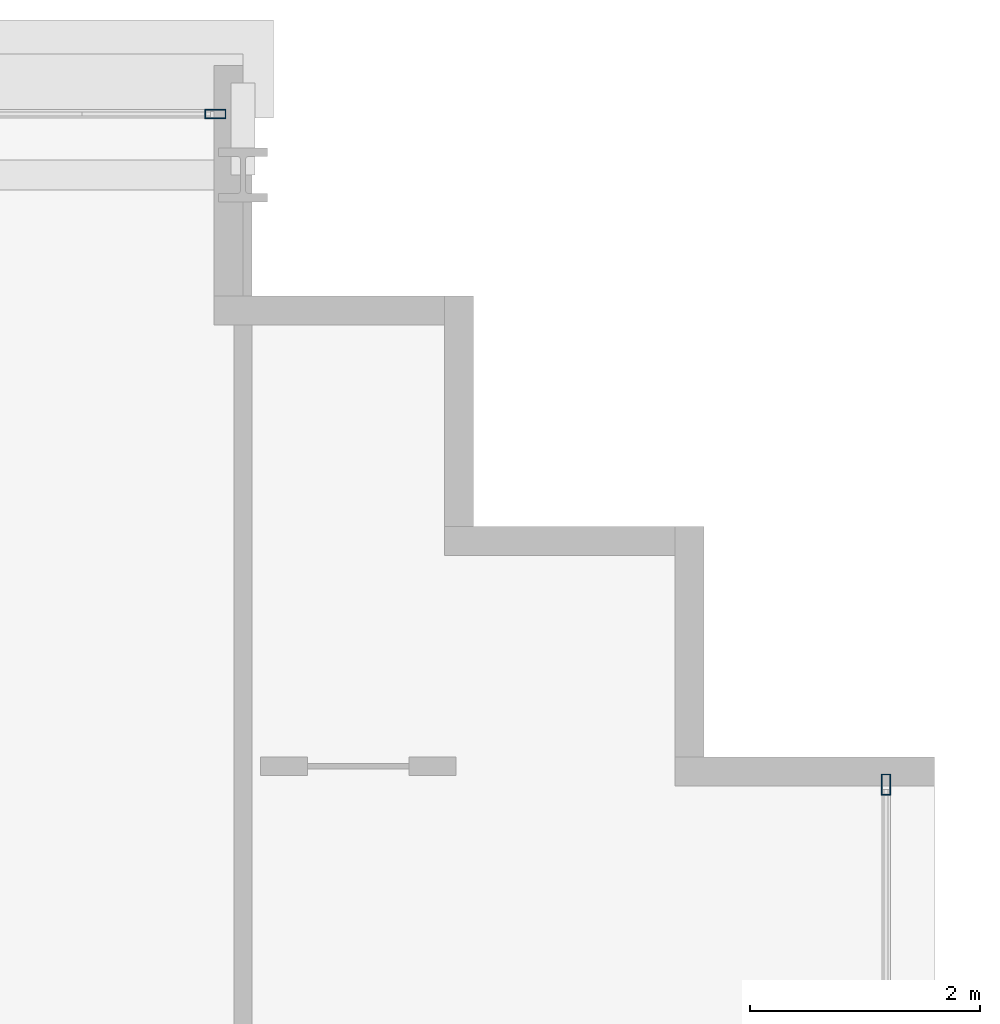
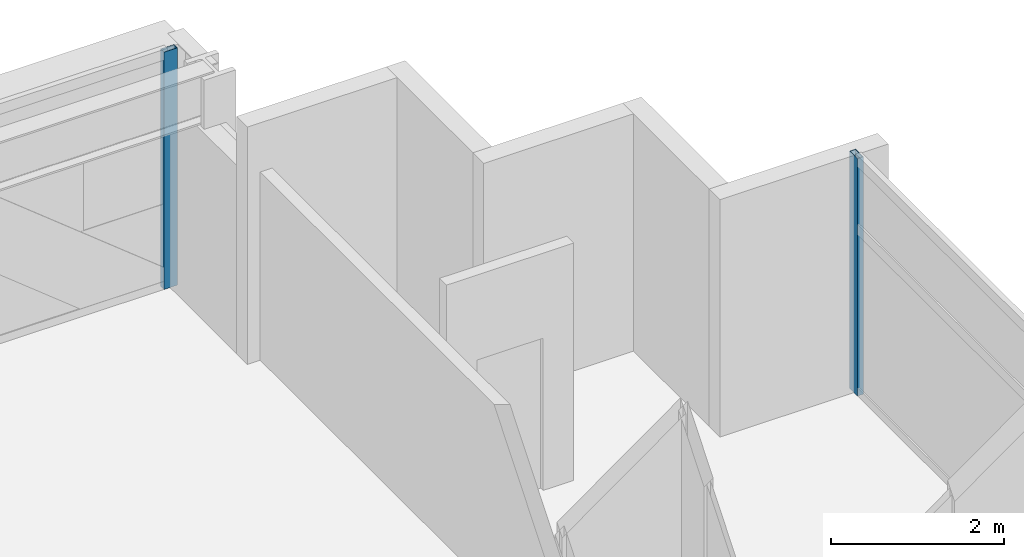
# One storey, part 22 of 35: 2 members, 2 elements without a shape of their own.
"""IFC4 building model written with IfcOpenShell, lengths in metres."""

from ifc_helpers import new_model, si_unit, direction, frame, origin, origin_2d, place, context, subcontext, project, spatial, hollow_rectangle, extrude, source, transform, mapped, material, layer, layer_set, material_profile, profile_set, type_object, element, aggregate, save


model = new_model("IFC4")

# Units and contexts
model_context = context("Model", 3, precision=1e-05, world=origin(), true_north=direction((0.0, 1.0)))
body_context = subcontext(model_context, "Body", "Model", "MODEL_VIEW")
ifc_project = project(units=[si_unit("LENGTHUNIT", "METRE"), si_unit("AREAUNIT", "SQUARE_METRE"), si_unit("VOLUMEUNIT", "CUBIC_METRE"), si_unit("PLANEANGLEUNIT", "RADIAN"), si_unit("MASSUNIT", "GRAM", prefix="KILO")], contexts=[model_context])

# Site, building, storey
site_placement = place(None, origin())
site = spatial("IfcSite", under=ifc_project, at=site_placement, CompositionType="ELEMENT")
building_placement = place(site_placement, origin())
building = spatial("IfcBuilding", under=site, at=building_placement, Name="Ocotamira Hotel", CompositionType="ELEMENT")
storey_placement = place(building_placement, frame((0.0, 0.0, 63.60009765625)))
storey = spatial("IfcBuildingStorey", under=building, at=storey_placement, Name="L15", CompositionType="ELEMENT", Elevation=63.60009765625)

# Curtain wall, member
ifc_material_1 = material(Name="Anodised pale-metal aluminium and solar glass", Category="aluminium")
ifc_layer = layer(ifc_material_1, 0.179931640625)
ifc_layer_set = layer_set([ifc_layer], Name="Anodised pale-metal aluminium and solar glass")
curtain_wall_type = type_object("IfcCurtainWallType", Name="CW-SYS2-Z1", PredefinedType="NOTDEFINED", material=ifc_layer_set)
curtain_wall_1_placement = place(storey_placement, origin())
curtain_wall_1 = element("IfcCurtainWall", 1, at=curtain_wall_1_placement, inside=storey, type_object=curtain_wall_type, Name="L15 Curtain Wall CW-2 CW-L15-N", PredefinedType="NOTDEFINED")
ifc_material_2 = material(Name="Anodised pale-metal aluminium 6063-T6", Category="aluminium")
ifc_material_profile = material_profile(ifc_material_2, hollow_rectangle(XDim=0.080078125, YDim=0.179931640625, WallThickness=0.006103515625, at=origin_2d()), Name="HSS180X80X6")
ifc_profile_set = profile_set([ifc_material_profile], Name="Anodised pale-metal aluminium 6063-T6")
member_type = type_object("IfcMemberType", Name="CWM-180X75", PredefinedType="MULLION", material=ifc_profile_set)
shared_shape = source(origin(), body_context, "Body", "SweptSolid", [
    extrude(hollow_rectangle(XDim=0.080078125, YDim=0.179931640625, WallThickness=0.006103515625, at=origin_2d()), origin(), (0.0, 0.0, 1.0), 3.349853515625),
])
member_1_placement = place(storey_placement, frame((49.760009765625, 49.580078125, 0.0), z_axis=(0.0, 0.0, 1.0), x_axis=(0.0, 1.0, 0.0)))
member_1 = element("IfcMember", 2, at=member_1_placement, type_object=member_type, Name="CW-2 mullion 10", PredefinedType="MULLION", context=body_context, shape_type="MappedRepresentation", body=[
    mapped(shared_shape, transform((0.0, 0.0, 0.0), scale=1.0)),
])
aggregate(curtain_wall_1, [member_1])

curtain_wall_2_placement = place(storey_placement, origin())
curtain_wall_2 = element("IfcCurtainWall", 3, at=curtain_wall_2_placement, inside=storey, type_object=curtain_wall_type, Name="L15 Curtain Wall CW-2 CW-L15-E", PredefinedType="NOTDEFINED")
member_2_placement = place(storey_placement, frame((55.580078125, 43.760009765625, 0.0), z_axis=(0.0, 0.0, 1.0), x_axis=(-1.0, 0.0, 0.0)))
member_2 = element("IfcMember", 4, at=member_2_placement, type_object=member_type, Name="CW-2 mullion 8", PredefinedType="MULLION", context=body_context, shape_type="MappedRepresentation", body=[
    mapped(shared_shape, transform((0.0, 0.0, 0.0), scale=1.0)),
])
aggregate(curtain_wall_2, [member_2])

save(model, "model.ifc")
